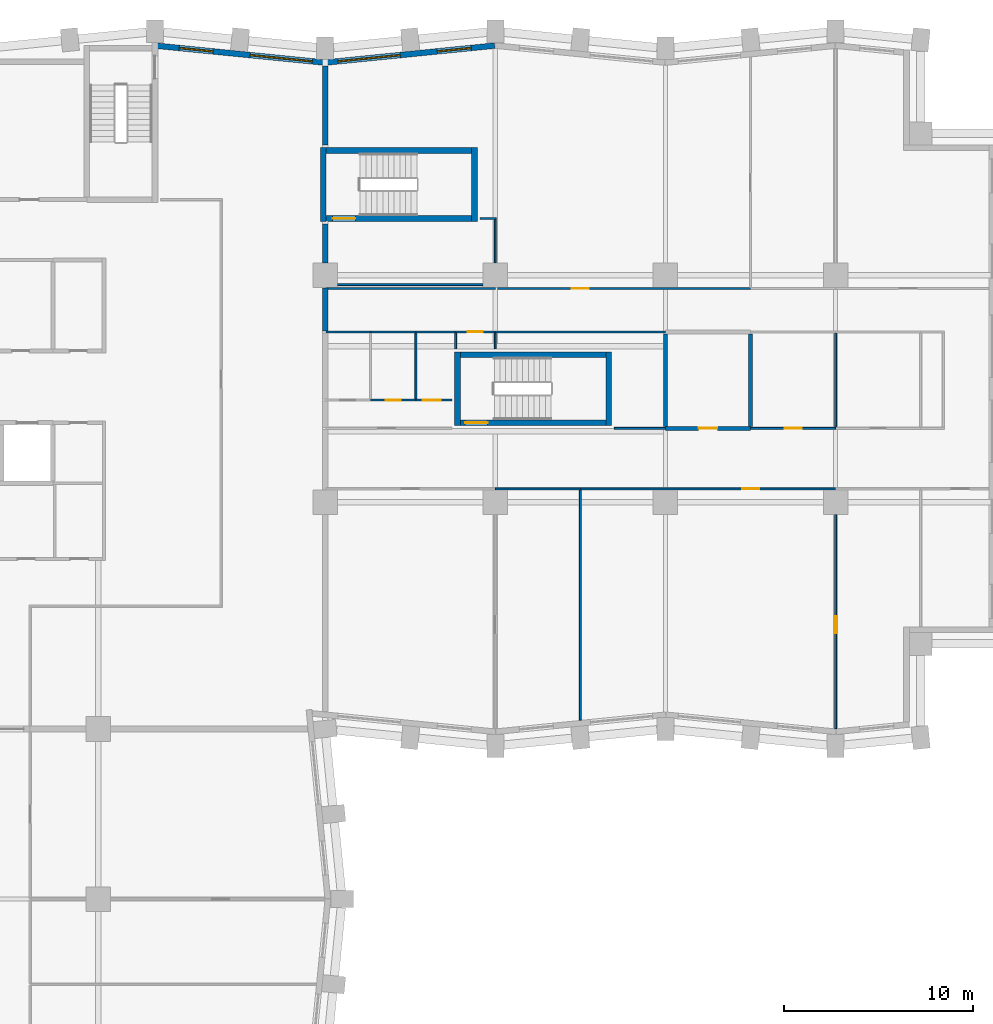
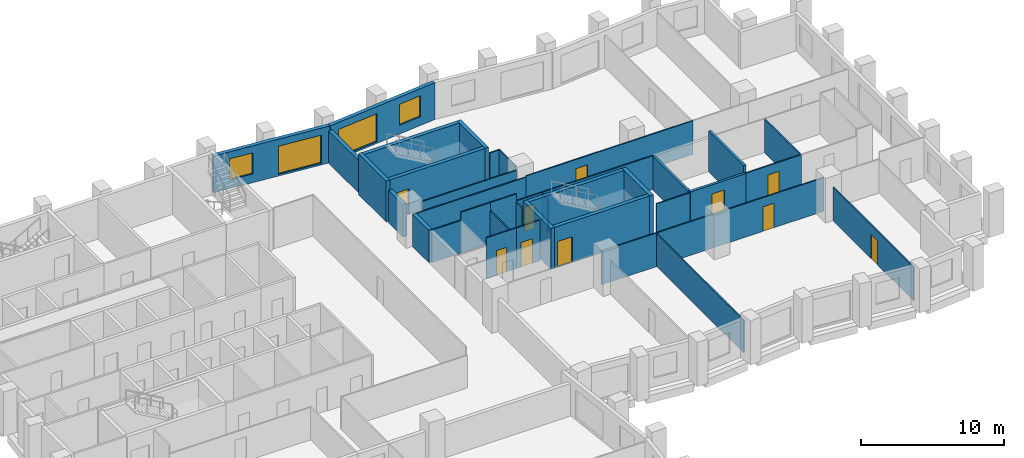
# One storey, part 7 of 11: 38 walls, 10 doors, 4 windows, 14 openings.
"""IFC4 building model written with IfcOpenShell, lengths in metres."""

from ifc_helpers import new_model, si_unit, direction, frame, frame_2d, origin, place, context, subcontext, project, spatial, rectangle, extrude, material, layer, layer_set, type_object, element, fill, save


model = new_model("IFC4")

# Units and contexts
model_context = context("Model", 3, precision=1e-05, world=origin(), true_north=direction((0.0, 1.0)))
body_context = subcontext(model_context, "Body", "Model", "MODEL_VIEW")
ifc_project = project(units=[si_unit("LENGTHUNIT", "METRE"), si_unit("AREAUNIT", "SQUARE_METRE"), si_unit("VOLUMEUNIT", "CUBIC_METRE"), si_unit("PLANEANGLEUNIT", "RADIAN"), si_unit("MASSUNIT", "GRAM", prefix="KILO")], contexts=[model_context])

# Site, building, storey
site_placement = place(None, origin())
site = spatial("IfcSite", under=ifc_project, at=site_placement, CompositionType="ELEMENT")
building_placement = place(site_placement, origin())
building = spatial("IfcBuilding", under=site, at=building_placement, Name="Brondeck Convention Tower", CompositionType="ELEMENT")
storey_placement = place(building_placement, frame((0.0, 0.0, 96.10009765625)))
storey = spatial("IfcBuildingStorey", under=building, at=storey_placement, Name="L22", CompositionType="ELEMENT", Elevation=96.10009765625)

# Walls
ifc_material_1 = material(Name="Concrete compartment wall C30/37", Category="concrete")
ifc_layer_1 = layer(ifc_material_1, 0.300048828125)
ifc_layer_set_1 = layer_set([ifc_layer_1], Name="Compartment wall 300")
wall_type_1 = type_object("IfcWallType", Name="Compartment wall 300", PredefinedType="PARTITIONING", material=ifc_layer_set_1)
wall_1_placement = place(storey_placement, frame((36.0, 48.050048828125, 0.0), z_axis=(0.0, 0.0, 1.0), x_axis=(0.0, 1.0, 0.0)))
element("IfcWall", 1, at=wall_1_placement, inside=storey, type_object=wall_type_1, Name="FLR-L22-W068", PredefinedType="PARTITIONING", context=body_context, shape_type="SweptSolid", body=[
    extrude(rectangle(XDim=2.280029296875, YDim=0.300048828125, at=frame_2d((1.14013671875, 0.0))), origin(), (0.0, 0.0, 1.0), 2.77978515625),
])
wall_2_placement = place(storey_placement, frame((36.0, 51.655029296875, 0.0), z_axis=(0.0, 0.0, 1.0), x_axis=(0.0, 1.0, 0.0)))
element("IfcWall", 2, at=wall_2_placement, inside=storey, type_object=wall_type_1, Name="FLR-L22-W074", PredefinedType="PARTITIONING", context=body_context, shape_type="SweptSolid", body=[
    extrude(rectangle(XDim=2.044921875, YDim=0.300048828125, at=frame_2d((1.0224609375, 0.0))), origin(), (0.0, 0.0, 1.0), 2.77978515625),
])
wall_3_placement = place(storey_placement, frame((36.0, 57.89990234375, 0.0), z_axis=(0.0, 0.0, 1.0), x_axis=(0.0, 1.0, 0.0)))
element("IfcWall", 3, at=wall_3_placement, inside=storey, type_object=wall_type_1, Name="FLR-L22-W079", PredefinedType="PARTITIONING", context=body_context, shape_type="SweptSolid", body=[
    extrude(rectangle(XDim=4.175537109375, YDim=0.300048828125, at=frame_2d((2.087890625, 0.0))), origin(), (0.0, 0.0, 1.0), 2.77978515625),
])

# Wall, openings, windows
ifc_material_2 = material(Name="Precast concrete C50/60 bronze finish", Category="concrete")
ifc_layer_2 = layer(ifc_material_2, 0.070068359375, Name="Bronze precast facing")
ifc_material_3 = material(Name="Mineral wool")
ifc_layer_3 = layer(ifc_material_3, 0.159912109375, Name="Insulation")
ifc_material_4 = material(Name="Concrete C35/45", Category="concrete")
ifc_layer_4 = layer(ifc_material_4, 0.070068359375, Name="Backing")
ifc_layer_set_2 = layer_set([ifc_layer_2, ifc_layer_3, ifc_layer_4], Name="External infill wall, precast concrete C50/60 bronze facing")
wall_type_2 = type_object("IfcWallType", Name="External infill wall, precast concrete C50/60 bronze facing", PredefinedType="SOLIDWALL", material=ifc_layer_set_2)
wall_4_placement = place(storey_placement, frame((35.985107421875, 62.244873046875, 0.0), z_axis=(0.0, 0.0, 1.0), x_axis=(0.995037993253, 0.099495688264, 0.0)))
wall_4 = element("IfcWall", 4, at=wall_4_placement, inside=storey, type_object=wall_type_2, Name="ENV-EW-L22-P0-A-N-09", PredefinedType="SOLIDWALL", context=body_context, shape_type="SweptSolid", body=[
    extrude(rectangle(XDim=9.030029296875, YDim=0.300048828125, at=frame_2d((4.51513671875, 0.0))), origin(), (0.0, 0.0, 1.0), 3.14990234375),
])
opening_1_placement = place(wall_4_placement, frame((0.701171875, 0.0, 0.14990234375)))
opening_1 = element("IfcOpeningElement", 5, at=opening_1_placement, cuts=wall_4, Name="Opening W9", PredefinedType="OPENING", context=body_context, shape_type="SweptSolid", body=[
    extrude(rectangle(XDim=3.300048828125, YDim=2.39990234375, at=frame_2d((1.64990234375, 1.199951171875))), frame((0.0, 0.159912109375, 0.0), z_axis=(0.0, -1.0, 0.0), x_axis=(1.0, 0.0, 0.0)), (0.0, 0.0, 1.0), 0.320068359375),
])
opening_2_placement = place(wall_4_placement, frame((5.9736328125, 0.0, 0.75)))
opening_2 = element("IfcOpeningElement", 6, at=opening_2_placement, cuts=wall_4, Name="Opening W10", PredefinedType="OPENING", context=body_context, shape_type="SweptSolid", body=[
    extrude(rectangle(XDim=1.800048828125, YDim=1.800048828125, at=frame_2d((0.89990234375, 0.89990234375))), frame((0.0, 0.159912109375, 0.0), z_axis=(0.0, -1.0, 0.0), x_axis=(1.0, 0.0, 0.0)), (0.0, 0.0, 1.0), 0.320068359375),
])
ifc_material_5 = material(Name="Bronze tinted double glazing", Category="glass")
window_type_1 = type_object("IfcWindowType", Name="Glazed flute window, bronze tinted", PartitioningType="SINGLE_PANEL", PredefinedType="WINDOW", material=ifc_material_5)
window_1_placement = place(opening_1_placement, origin())
window_1 = element("IfcWindow", 7, at=window_1_placement, inside=storey, type_object=window_type_1, Name="ENV-WN-L22-P0-A-N-08", OverallHeight=2.39990234375, OverallWidth=3.300048828125, PartitioningType="SINGLE_PANEL", PredefinedType="WINDOW", context=body_context, shape_type="SweptSolid", body=[
    extrude(rectangle(XDim=3.300048828125, YDim=2.39990234375, at=frame_2d((1.64990234375, 1.199951171875))), frame((0.0, 0.030029296875, 0.0), z_axis=(0.0, -1.0, 0.0), x_axis=(1.0, 0.0, 0.0)), (0.0, 0.0, 1.0), 0.06005859375),
])
fill(opening_1, window_1)
window_type_2 = type_object("IfcWindowType", Name="Punched window, bronze tinted", PartitioningType="SINGLE_PANEL", PredefinedType="WINDOW", material=ifc_material_5)
window_2_placement = place(opening_2_placement, origin())
window_2 = element("IfcWindow", 8, at=window_2_placement, inside=storey, type_object=window_type_2, Name="ENV-WN-L22-P0-A-N-09", OverallHeight=1.800048828125, OverallWidth=1.800048828125, PartitioningType="SINGLE_PANEL", PredefinedType="WINDOW", context=body_context, shape_type="SweptSolid", body=[
    extrude(rectangle(XDim=1.800048828125, YDim=1.800048828125, at=frame_2d((0.89990234375, 0.89990234375))), frame((0.0, 0.030029296875, 0.0), z_axis=(0.0, -1.0, 0.0), x_axis=(1.0, 0.0, 0.0)), (0.0, 0.0, 1.0), 0.06005859375),
])
fill(opening_2, window_2)

wall_5_placement = place(storey_placement, frame((27.07470703125, 63.138916015625, 0.0), z_axis=(0.0, 0.0, 1.0), x_axis=(0.995036108601, -0.099514534519, 0.0)))
wall_5 = element("IfcWall", 9, at=wall_5_placement, inside=storey, type_object=wall_type_2, Name="ENV-EW-L22-P0-A-N-07", PredefinedType="SOLIDWALL", context=body_context, shape_type="SweptSolid", body=[
    extrude(rectangle(XDim=8.93994140625, YDim=0.300048828125, at=frame_2d((4.469970703125, 0.0))), origin(), (0.0, 0.0, 1.0), 3.14990234375),
])
opening_3_placement = place(wall_5_placement, frame((1.211181640625, 0.0, 0.75)))
opening_3 = element("IfcOpeningElement", 10, at=opening_3_placement, cuts=wall_5, Name="Opening W10", PredefinedType="OPENING", context=body_context, shape_type="SweptSolid", body=[
    extrude(rectangle(XDim=1.800048828125, YDim=1.800048828125, at=frame_2d((0.89990234375, 0.89990234375))), frame((0.0, 0.159912109375, 0.0), z_axis=(0.0, -1.0, 0.0), x_axis=(1.0, 0.0, 0.0)), (0.0, 0.0, 1.0), 0.320068359375),
])
opening_4_placement = place(wall_5_placement, frame((4.983642578125, 0.0, 0.14990234375)))
opening_4 = element("IfcOpeningElement", 11, at=opening_4_placement, cuts=wall_5, Name="Opening W9", PredefinedType="OPENING", context=body_context, shape_type="SweptSolid", body=[
    extrude(rectangle(XDim=3.300048828125, YDim=2.39990234375, at=frame_2d((1.64990234375, 1.199951171875))), frame((0.0, 0.159912109375, 0.0), z_axis=(0.0, -1.0, 0.0), x_axis=(1.0, 0.0, 0.0)), (0.0, 0.0, 1.0), 0.320068359375),
])
window_3_placement = place(opening_4_placement, origin())
window_3 = element("IfcWindow", 12, at=window_3_placement, inside=storey, type_object=window_type_1, Name="ENV-WN-L22-P0-A-N-07", OverallHeight=2.39990234375, OverallWidth=3.300048828125, PartitioningType="SINGLE_PANEL", PredefinedType="WINDOW", context=body_context, shape_type="SweptSolid", body=[
    extrude(rectangle(XDim=3.300048828125, YDim=2.39990234375, at=frame_2d((1.64990234375, 1.199951171875))), frame((0.0, 0.030029296875, 0.0), z_axis=(0.0, -1.0, 0.0), x_axis=(1.0, 0.0, 0.0)), (0.0, 0.0, 1.0), 0.06005859375),
])
fill(opening_4, window_3)
window_4_placement = place(opening_3_placement, origin())
window_4 = element("IfcWindow", 13, at=window_4_placement, inside=storey, type_object=window_type_2, Name="ENV-WN-L22-P0-A-N-06", OverallHeight=1.800048828125, OverallWidth=1.800048828125, PartitioningType="SINGLE_PANEL", PredefinedType="WINDOW", context=body_context, shape_type="SweptSolid", body=[
    extrude(rectangle(XDim=1.800048828125, YDim=1.800048828125, at=frame_2d((0.89990234375, 0.89990234375))), frame((0.0, 0.030029296875, 0.0), z_axis=(0.0, -1.0, 0.0), x_axis=(1.0, 0.0, 0.0)), (0.0, 0.0, 1.0), 0.06005859375),
])
fill(opening_3, window_4)

# Wall, opening, door
ifc_material_6 = material(Name="Concrete block wall C16/20", Category="concrete")
ifc_layer_5 = layer(ifc_material_6, 0.199951171875)
ifc_layer_set_3 = layer_set([ifc_layer_5], Name="Plant room wall 200")
wall_type_3 = type_object("IfcWallType", Name="Plant room wall 200", PredefinedType="PARTITIONING", material=ifc_layer_set_3)
wall_6_placement = place(storey_placement, frame((54.0, 42.89990234375, 0.0), z_axis=(0.0, 0.0, 1.0), x_axis=(1.0, 0.0, 0.0)))
wall_6 = element("IfcWall", 14, at=wall_6_placement, inside=storey, type_object=wall_type_3, Name="FLR-L22-W041", PredefinedType="PARTITIONING", context=body_context, shape_type="SweptSolid", body=[
    extrude(rectangle(XDim=4.5, YDim=0.199951171875, at=frame_2d((2.25, 0.0))), origin(), (0.0, 0.0, 1.0), 2.8798828125),
])
opening_5_placement = place(wall_6_placement, frame((1.75, 0.0, 0.0)))
opening_5 = element("IfcOpeningElement", 15, at=opening_5_placement, cuts=wall_6, Name="Opening OF-A-007", PredefinedType="OPENING", context=body_context, shape_type="SweptSolid", body=[
    extrude(rectangle(XDim=1.0, YDim=2.10009765625, at=frame_2d((0.5, 1.050048828125))), frame((0.0, 0.10986328125, 0.0), z_axis=(0.0, -1.0, 0.0), x_axis=(1.0, 0.0, 0.0)), (0.0, 0.0, 1.0), 0.219970703125),
])
ifc_material_7 = material(Name="Steel fire door leaf", Category="steel")
door_type_1 = type_object("IfcDoorType", Name="Plant room door 1000", OperationType="NOTDEFINED", PredefinedType="DOOR", material=ifc_material_7)
door_1_placement = place(opening_5_placement, origin())
door_1 = element("IfcDoor", 16, at=door_1_placement, inside=storey, type_object=door_type_1, Name="Door OF-A-007", OperationType="SINGLE_SWING_RIGHT", OverallHeight=2.10009765625, OverallWidth=1.0, PredefinedType="DOOR", context=body_context, shape_type="SweptSolid", body=[
    extrude(rectangle(XDim=1.0, YDim=2.10009765625, at=frame_2d((0.5, 1.050048828125))), frame((0.0, 0.02490234375, 0.0), z_axis=(0.0, -1.0, 0.0), x_axis=(1.0, 0.0, 0.0)), (0.0, 0.0, 1.0), 0.050048828125),
])
fill(opening_5, door_1)

# Walls
wall_7_placement = place(storey_placement, frame((54.0, 43.0, 0.0), z_axis=(0.0, 0.0, 1.0), x_axis=(0.0, 1.0, 0.0)))
element("IfcWall", 17, at=wall_7_placement, inside=storey, type_object=wall_type_3, Name="FLR-L22-W047", PredefinedType="PARTITIONING", context=body_context, shape_type="SweptSolid", body=[
    extrude(rectangle(XDim=4.89990234375, YDim=0.199951171875, at=frame_2d((2.449951171875, 0.0))), origin(), (0.0, 0.0, 1.0), 2.8798828125),
])
wall_8_placement = place(storey_placement, frame((58.5, 47.89990234375, 0.0), z_axis=(0.0, 0.0, 1.0), x_axis=(0.0, -1.0, 0.0)))
element("IfcWall", 18, at=wall_8_placement, inside=storey, type_object=wall_type_3, Name="FLR-L22-W052", PredefinedType="PARTITIONING", context=body_context, shape_type="SweptSolid", body=[
    extrude(rectangle(XDim=4.89990234375, YDim=0.199951171875, at=frame_2d((2.449951171875, 0.0))), origin(), (0.0, 0.0, 1.0), 3.47998046875),
])

# Wall, opening, door
ifc_material_8 = material(Name="Gypsum board partition on steel studs", Category="steel")
ifc_layer_6 = layer(ifc_material_8, 0.10009765625)
ifc_layer_set_4 = layer_set([ifc_layer_6], Name="Room partition 100")
wall_type_4 = type_object("IfcWallType", Name="Room partition 100", PredefinedType="PARTITIONING", material=ifc_layer_set_4)
wall_9_placement = place(storey_placement, frame((63.0, 38.344970703125, 0.0), z_axis=(0.0, 0.0, 1.0), x_axis=(0.0, -1.0, 0.0)))
wall_9 = element("IfcWall", 19, at=wall_9_placement, inside=storey, type_object=wall_type_4, Name="FLR-L22-W030", PredefinedType="PARTITIONING", context=body_context, shape_type="SweptSolid", body=[
    extrude(rectangle(XDim=11.320556640625, YDim=0.10009765625, at=frame_2d((5.66015625, 0.0))), origin(), (0.0, 0.0, 1.0), 2.8798828125),
])
opening_6_placement = place(wall_9_placement, frame((5.3701171875, 0.0, 0.0)))
opening_6 = element("IfcOpeningElement", 20, at=opening_6_placement, cuts=wall_9, Name="Opening OF-A-013", PredefinedType="OPENING", context=body_context, shape_type="SweptSolid", body=[
    extrude(rectangle(XDim=0.89990234375, YDim=2.10009765625, at=frame_2d((0.449951171875, 1.050048828125))), frame((0.0, 0.06005859375, 0.0), z_axis=(0.0, -1.0, 0.0), x_axis=(1.0, 0.0, 0.0)), (0.0, 0.0, 1.0), 0.1201171875),
])
ifc_material_9 = material(Name="Solid timber door leaf", Category="wood")
door_type_2 = type_object("IfcDoorType", Name="Single door 900", OperationType="NOTDEFINED", PredefinedType="DOOR", material=ifc_material_9)
door_2_placement = place(opening_6_placement, origin())
door_2 = element("IfcDoor", 21, at=door_2_placement, inside=storey, type_object=door_type_2, Name="Door OF-A-013", OperationType="SINGLE_SWING_LEFT", OverallHeight=2.10009765625, OverallWidth=0.89990234375, PredefinedType="DOOR", context=body_context, shape_type="SweptSolid", body=[
    extrude(rectangle(XDim=0.89990234375, YDim=2.10009765625, at=frame_2d((0.449951171875, 1.050048828125))), frame((0.0, 0.02490234375, 0.0), z_axis=(0.0, -1.0, 0.0), x_axis=(1.0, 0.0, 0.0)), (0.0, 0.0, 1.0), 0.050048828125),
])
fill(opening_6, door_2)

# Walls
wall_10_placement = place(storey_placement, frame((49.5, 39.64990234375, 0.0), z_axis=(0.0, 0.0, 1.0), x_axis=(0.0, -1.0, 0.0)))
element("IfcWall", 22, at=wall_10_placement, inside=storey, type_object=wall_type_4, Name="FLR-L22-W031", PredefinedType="PARTITIONING", context=body_context, shape_type="SweptSolid", body=[
    extrude(rectangle(XDim=12.17529296875, YDim=0.10009765625, at=frame_2d((6.087646484375, 0.0))), origin(), (0.0, 0.0, 1.0), 2.77978515625),
])
wall_11_placement = place(storey_placement, frame((49.5, 39.699951171875, 0.0), z_axis=(0.0, 0.0, 1.0), x_axis=(-1.0, 0.0, 0.0)))
element("IfcWall", 23, at=wall_11_placement, inside=storey, type_object=wall_type_4, Name="FLR-L22-W034", PredefinedType="PARTITIONING", context=body_context, shape_type="SweptSolid", body=[
    extrude(rectangle(XDim=4.5, YDim=0.10009765625, at=frame_2d((2.25, 0.0))), origin(), (0.0, 0.0, 1.0), 2.8798828125),
])

# Wall, opening, door
wall_12_placement = place(storey_placement, frame((63.0, 39.699951171875, 0.0), z_axis=(0.0, 0.0, 1.0), x_axis=(-1.0, 0.0, 0.0)))
wall_12 = element("IfcWall", 24, at=wall_12_placement, inside=storey, type_object=wall_type_4, Name="FLR-L22-W035", PredefinedType="PARTITIONING", context=body_context, shape_type="SweptSolid", body=[
    extrude(rectangle(XDim=13.5, YDim=0.10009765625, at=frame_2d((6.75, 0.0))), origin(), (0.0, 0.0, 1.0), 2.8798828125),
])
opening_7_placement = place(wall_12_placement, frame((4.050048828125, 0.0, 0.0)))
opening_7 = element("IfcOpeningElement", 25, at=opening_7_placement, cuts=wall_12, Name="Opening OF-A-012", PredefinedType="OPENING", context=body_context, shape_type="SweptSolid", body=[
    extrude(rectangle(XDim=0.89990234375, YDim=2.10009765625, at=frame_2d((0.449951171875, 1.050048828125))), frame((0.0, 0.06005859375, 0.0), z_axis=(0.0, -1.0, 0.0), x_axis=(1.0, 0.0, 0.0)), (0.0, 0.0, 1.0), 0.1201171875),
])
door_3_placement = place(opening_7_placement, origin())
door_3 = element("IfcDoor", 26, at=door_3_placement, inside=storey, type_object=door_type_2, Name="Door OF-A-012", OperationType="SINGLE_SWING_LEFT", OverallHeight=2.10009765625, OverallWidth=0.89990234375, PredefinedType="DOOR", context=body_context, shape_type="SweptSolid", body=[
    extrude(rectangle(XDim=0.89990234375, YDim=2.10009765625, at=frame_2d((0.449951171875, 1.050048828125))), frame((0.0, 0.02490234375, 0.0), z_axis=(0.0, -1.0, 0.0), x_axis=(1.0, 0.0, 0.0)), (0.0, 0.0, 1.0), 0.050048828125),
])
fill(opening_7, door_3)

# Wall
wall_13_placement = place(storey_placement, frame((51.300048828125, 42.89990234375, 0.0), z_axis=(0.0, 0.0, 1.0), x_axis=(1.0, 0.0, 0.0)))
element("IfcWall", 27, at=wall_13_placement, inside=storey, type_object=wall_type_4, Name="FLR-L22-W040", PredefinedType="PARTITIONING", context=body_context, shape_type="SweptSolid", body=[
    extrude(rectangle(XDim=2.699951171875, YDim=0.10009765625, at=frame_2d((1.35009765625, 0.0))), origin(), (0.0, 0.0, 1.0), 2.77978515625),
])

# Wall, opening, door
wall_14_placement = place(storey_placement, frame((58.5, 42.89990234375, 0.0), z_axis=(0.0, 0.0, 1.0), x_axis=(1.0, 0.0, 0.0)))
wall_14 = element("IfcWall", 28, at=wall_14_placement, inside=storey, type_object=wall_type_4, Name="FLR-L22-W042", PredefinedType="PARTITIONING", context=body_context, shape_type="SweptSolid", body=[
    extrude(rectangle(XDim=4.5, YDim=0.10009765625, at=frame_2d((2.25, 0.0))), origin(), (0.0, 0.0, 1.0), 2.8798828125),
])
opening_8_placement = place(wall_14_placement, frame((1.800048828125, 0.0, 0.0)))
opening_8 = element("IfcOpeningElement", 29, at=opening_8_placement, cuts=wall_14, Name="Opening OF-A-008", PredefinedType="OPENING", context=body_context, shape_type="SweptSolid", body=[
    extrude(rectangle(XDim=0.89990234375, YDim=2.10009765625, at=frame_2d((0.449951171875, 1.050048828125))), frame((0.0, 0.06005859375, 0.0), z_axis=(0.0, -1.0, 0.0), x_axis=(1.0, 0.0, 0.0)), (0.0, 0.0, 1.0), 0.1201171875),
])
door_4_placement = place(opening_8_placement, origin())
door_4 = element("IfcDoor", 30, at=door_4_placement, inside=storey, type_object=door_type_2, Name="Door OF-A-008", OperationType="SINGLE_SWING_LEFT", OverallHeight=2.10009765625, OverallWidth=0.89990234375, PredefinedType="DOOR", context=body_context, shape_type="SweptSolid", body=[
    extrude(rectangle(XDim=0.89990234375, YDim=2.10009765625, at=frame_2d((0.449951171875, 1.050048828125))), frame((0.0, 0.02490234375, 0.0), z_axis=(0.0, -1.0, 0.0), x_axis=(1.0, 0.0, 0.0)), (0.0, 0.0, 1.0), 0.050048828125),
])
fill(opening_8, door_4)

wall_15_placement = place(storey_placement, frame((38.39990234375, 44.39990234375, 0.0), z_axis=(0.0, 0.0, 1.0), x_axis=(1.0, 0.0, 0.0)))
wall_15 = element("IfcWall", 31, at=wall_15_placement, inside=storey, type_object=wall_type_4, Name="FLR-L22-W049", PredefinedType="PARTITIONING", context=body_context, shape_type="SweptSolid", body=[
    extrude(rectangle(XDim=2.400146484375, YDim=0.10009765625, at=frame_2d((1.2001953125, 0.0))), origin(), (0.0, 0.0, 1.0), 3.47998046875),
])
opening_9_placement = place(wall_15_placement, frame((0.800048828125, 0.0, 0.0)))
opening_9 = element("IfcOpeningElement", 32, at=opening_9_placement, cuts=wall_15, Name="Opening OF-A-004", PredefinedType="OPENING", context=body_context, shape_type="SweptSolid", body=[
    extrude(rectangle(XDim=0.800048828125, YDim=2.10009765625, at=frame_2d((0.39990234375, 1.050048828125))), frame((0.0, 0.06005859375, 0.0), z_axis=(0.0, -1.0, 0.0), x_axis=(1.0, 0.0, 0.0)), (0.0, 0.0, 1.0), 0.1201171875),
])
door_type_3 = type_object("IfcDoorType", Name="En-suite door 800", OperationType="NOTDEFINED", PredefinedType="DOOR", material=ifc_material_9)
door_5_placement = place(opening_9_placement, origin())
door_5 = element("IfcDoor", 33, at=door_5_placement, inside=storey, type_object=door_type_3, Name="Door OF-A-004", OperationType="SINGLE_SWING_RIGHT", OverallHeight=2.10009765625, OverallWidth=0.800048828125, PredefinedType="DOOR", context=body_context, shape_type="SweptSolid", body=[
    extrude(rectangle(XDim=0.800048828125, YDim=2.10009765625, at=frame_2d((0.39990234375, 1.050048828125))), frame((0.0, 0.02490234375, 0.0), z_axis=(0.0, -1.0, 0.0), x_axis=(1.0, 0.0, 0.0)), (0.0, 0.0, 1.0), 0.050048828125),
])
fill(opening_9, door_5)

wall_16_placement = place(storey_placement, frame((40.800048828125, 44.39990234375, 0.0), z_axis=(0.0, 0.0, 1.0), x_axis=(1.0, 0.0, 0.0)))
wall_16 = element("IfcWall", 34, at=wall_16_placement, inside=storey, type_object=wall_type_4, Name="FLR-L22-W050", PredefinedType="PARTITIONING", context=body_context, shape_type="SweptSolid", body=[
    extrude(rectangle(XDim=1.89990234375, YDim=0.10009765625, at=frame_2d((0.949951171875, 0.0))), origin(), (0.0, 0.0, 1.0), 3.47998046875),
])
opening_10_placement = place(wall_16_placement, frame((0.375, 0.0, 0.0)))
opening_10 = element("IfcOpeningElement", 35, at=opening_10_placement, cuts=wall_16, Name="Opening OF-A-005", PredefinedType="OPENING", context=body_context, shape_type="SweptSolid", body=[
    extrude(rectangle(XDim=0.949951171875, YDim=2.10009765625, at=frame_2d((0.47509765625, 1.050048828125))), frame((0.0, 0.06005859375, 0.0), z_axis=(0.0, -1.0, 0.0), x_axis=(1.0, 0.0, 0.0)), (0.0, 0.0, 1.0), 0.1201171875),
])
door_type_4 = type_object("IfcDoorType", Name="Accessible door 950", OperationType="NOTDEFINED", PredefinedType="DOOR", material=ifc_material_9)
door_6_placement = place(opening_10_placement, origin())
door_6 = element("IfcDoor", 36, at=door_6_placement, inside=storey, type_object=door_type_4, Name="Door OF-A-005", OperationType="SINGLE_SWING_LEFT", OverallHeight=2.10009765625, OverallWidth=0.949951171875, PredefinedType="DOOR", context=body_context, shape_type="SweptSolid", body=[
    extrude(rectangle(XDim=0.949951171875, YDim=2.10009765625, at=frame_2d((0.47509765625, 1.050048828125))), frame((0.0, 0.02490234375, 0.0), z_axis=(0.0, -1.0, 0.0), x_axis=(1.0, 0.0, 0.0)), (0.0, 0.0, 1.0), 0.050048828125),
])
fill(opening_10, door_6)

# Walls
wall_17_placement = place(storey_placement, frame((40.800048828125, 47.949951171875, 0.0), z_axis=(0.0, 0.0, 1.0), x_axis=(0.0, -1.0, 0.0)))
element("IfcWall", 37, at=wall_17_placement, inside=storey, type_object=wall_type_4, Name="FLR-L22-W054", PredefinedType="PARTITIONING", context=body_context, shape_type="SweptSolid", body=[
    extrude(rectangle(XDim=3.5, YDim=0.10009765625, at=frame_2d((1.75, 0.0))), origin(), (0.0, 0.0, 1.0), 2.77978515625),
])
for number, where, z_axis, x_axis, name in (
    (38, (42.89990234375, 47.949951171875, 0.0), (0.0, 0.0, 1.0), (0.0, -1.0, 0.0), "FLR-L22-W055"),
    (39, (45.0, 47.949951171875, 0.0), (0.0, 0.0, 1.0), (0.0, -1.0, 0.0), "FLR-L22-W056"),
):
    element("IfcWall", number, at=place(storey_placement, frame(where, z_axis=z_axis, x_axis=x_axis)), inside=storey, type_object=wall_type_4, Name=name, PredefinedType="PARTITIONING", context=body_context, shape_type="SweptSolid", body=[
        extrude(rectangle(XDim=0.849853515625, YDim=0.10009765625, at=frame_2d((0.4248046875, 0.0))), origin(), (0.0, 0.0, 1.0), 2.77978515625),
    ])
wall_18_placement = place(storey_placement, frame((63.0, 47.949951171875, 0.0), z_axis=(0.0, 0.0, 1.0), x_axis=(0.0, -1.0, 0.0)))
element("IfcWall", 40, at=wall_18_placement, inside=storey, type_object=wall_type_4, Name="FLR-L22-W057", PredefinedType="PARTITIONING", context=body_context, shape_type="SweptSolid", body=[
    extrude(rectangle(XDim=5.0, YDim=0.10009765625, at=frame_2d((2.5, 0.0))), origin(), (0.0, 0.0, 1.0), 2.8798828125),
])
wall_19_placement = place(storey_placement, frame((38.39990234375, 48.0, 0.0), z_axis=(0.0, 0.0, 1.0), x_axis=(-1.0, 0.0, 0.0)))
element("IfcWall", 41, at=wall_19_placement, inside=storey, type_object=wall_type_4, Name="FLR-L22-W059", PredefinedType="PARTITIONING", context=body_context, shape_type="SweptSolid", body=[
    extrude(rectangle(XDim=2.349853515625, YDim=0.10009765625, at=frame_2d((1.1748046875, 0.0))), origin(), (0.0, 0.0, 1.0), 2.77978515625),
])
wall_20_placement = place(storey_placement, frame((40.800048828125, 48.0, 0.0), z_axis=(0.0, 0.0, 1.0), x_axis=(-1.0, 0.0, 0.0)))
element("IfcWall", 42, at=wall_20_placement, inside=storey, type_object=wall_type_4, Name="FLR-L22-W060", PredefinedType="PARTITIONING", context=body_context, shape_type="SweptSolid", body=[
    extrude(rectangle(XDim=2.400146484375, YDim=0.10009765625, at=frame_2d((1.2001953125, 0.0))), origin(), (0.0, 0.0, 1.0), 3.47998046875),
])
wall_21_placement = place(storey_placement, frame((42.89990234375, 48.0, 0.0), z_axis=(0.0, 0.0, 1.0), x_axis=(-1.0, 0.0, 0.0)))
element("IfcWall", 43, at=wall_21_placement, inside=storey, type_object=wall_type_4, Name="FLR-L22-W061", PredefinedType="PARTITIONING", context=body_context, shape_type="SweptSolid", body=[
    extrude(rectangle(XDim=2.099853515625, YDim=0.10009765625, at=frame_2d((1.0498046875, 0.0))), origin(), (0.0, 0.0, 1.0), 3.47998046875),
])

# Wall, opening, door
wall_22_placement = place(storey_placement, frame((45.0, 48.0, 0.0), z_axis=(0.0, 0.0, 1.0), x_axis=(-1.0, 0.0, 0.0)))
wall_22 = element("IfcWall", 44, at=wall_22_placement, inside=storey, type_object=wall_type_4, Name="FLR-L22-W062", PredefinedType="PARTITIONING", context=body_context, shape_type="SweptSolid", body=[
    extrude(rectangle(XDim=2.10009765625, YDim=0.10009765625, at=frame_2d((1.050048828125, 0.0))), origin(), (0.0, 0.0, 1.0), 2.8798828125),
])
opening_11_placement = place(wall_22_placement, frame((0.64990234375, 0.0, 0.0)))
opening_11 = element("IfcOpeningElement", 45, at=opening_11_placement, cuts=wall_22, Name="Opening OF-A-006", PredefinedType="OPENING", context=body_context, shape_type="SweptSolid", body=[
    extrude(rectangle(XDim=0.800048828125, YDim=2.10009765625, at=frame_2d((0.39990234375, 1.050048828125))), frame((0.0, 0.06005859375, 0.0), z_axis=(0.0, -1.0, 0.0), x_axis=(1.0, 0.0, 0.0)), (0.0, 0.0, 1.0), 0.1201171875),
])
ifc_material_10 = material(Name="Steel service door leaf", Category="steel")
door_type_5 = type_object("IfcDoorType", Name="Service door 800", OperationType="NOTDEFINED", PredefinedType="DOOR", material=ifc_material_10)
door_7_placement = place(opening_11_placement, origin())
door_7 = element("IfcDoor", 46, at=door_7_placement, inside=storey, type_object=door_type_5, Name="Door OF-A-006", OperationType="SINGLE_SWING_LEFT", OverallHeight=2.10009765625, OverallWidth=0.800048828125, PredefinedType="DOOR", context=body_context, shape_type="SweptSolid", body=[
    extrude(rectangle(XDim=0.800048828125, YDim=2.10009765625, at=frame_2d((0.39990234375, 1.050048828125))), frame((0.0, 0.02490234375, 0.0), z_axis=(0.0, -1.0, 0.0), x_axis=(1.0, 0.0, 0.0)), (0.0, 0.0, 1.0), 0.050048828125),
])
fill(opening_11, door_7)

# Walls
wall_23_placement = place(storey_placement, frame((54.0, 48.0, 0.0), z_axis=(0.0, 0.0, 1.0), x_axis=(-1.0, 0.0, 0.0)))
element("IfcWall", 47, at=wall_23_placement, inside=storey, type_object=wall_type_4, Name="FLR-L22-W063", PredefinedType="PARTITIONING", context=body_context, shape_type="SweptSolid", body=[
    extrude(rectangle(XDim=9.0, YDim=0.10009765625, at=frame_2d((4.5, 0.0))), origin(), (0.0, 0.0, 1.0), 2.8798828125),
])
wall_24_placement = place(storey_placement, frame((36.050048828125, 50.300048828125, 0.0), z_axis=(0.0, 0.0, 1.0), x_axis=(1.0, 0.0, 0.0)))
element("IfcWall", 48, at=wall_24_placement, inside=storey, type_object=wall_type_4, Name="FLR-L22-W069", PredefinedType="PARTITIONING", context=body_context, shape_type="SweptSolid", body=[
    extrude(rectangle(XDim=8.949951171875, YDim=0.10009765625, at=frame_2d((4.47509765625, 0.0))), origin(), (0.0, 0.0, 1.0), 2.77978515625),
])

# Wall, opening, door
wall_25_placement = place(storey_placement, frame((45.0, 50.300048828125, 0.0), z_axis=(0.0, 0.0, 1.0), x_axis=(1.0, 0.0, 0.0)))
wall_25 = element("IfcWall", 49, at=wall_25_placement, inside=storey, type_object=wall_type_4, Name="FLR-L22-W070", PredefinedType="PARTITIONING", context=body_context, shape_type="SweptSolid", body=[
    extrude(rectangle(XDim=13.5, YDim=0.10009765625, at=frame_2d((6.75, 0.0))), origin(), (0.0, 0.0, 1.0), 2.8798828125),
])
opening_12_placement = place(wall_25_placement, frame((4.050048828125, 0.0, 0.0)))
opening_12 = element("IfcOpeningElement", 50, at=opening_12_placement, cuts=wall_25, Name="Opening OF-A-015", PredefinedType="OPENING", context=body_context, shape_type="SweptSolid", body=[
    extrude(rectangle(XDim=0.89990234375, YDim=2.10009765625, at=frame_2d((0.449951171875, 1.050048828125))), frame((0.0, 0.06005859375, 0.0), z_axis=(0.0, -1.0, 0.0), x_axis=(1.0, 0.0, 0.0)), (0.0, 0.0, 1.0), 0.1201171875),
])
door_8_placement = place(opening_12_placement, origin())
door_8 = element("IfcDoor", 51, at=door_8_placement, inside=storey, type_object=door_type_2, Name="Door OF-A-015", OperationType="SINGLE_SWING_LEFT", OverallHeight=2.10009765625, OverallWidth=0.89990234375, PredefinedType="DOOR", context=body_context, shape_type="SweptSolid", body=[
    extrude(rectangle(XDim=0.89990234375, YDim=2.10009765625, at=frame_2d((0.449951171875, 1.050048828125))), frame((0.0, 0.02490234375, 0.0), z_axis=(0.0, -1.0, 0.0), x_axis=(1.0, 0.0, 0.0)), (0.0, 0.0, 1.0), 0.050048828125),
])
fill(opening_12, door_8)

# Walls
wall_26_placement = place(storey_placement, frame((44.344970703125, 50.5, 0.0), z_axis=(0.0, 0.0, 1.0), x_axis=(-1.0, 0.0, 0.0)))
element("IfcWall", 52, at=wall_26_placement, inside=storey, type_object=wall_type_4, Name="FLR-L22-W073", PredefinedType="PARTITIONING", context=body_context, shape_type="SweptSolid", body=[
    extrude(rectangle(XDim=7.68994140625, YDim=0.10009765625, at=frame_2d((3.844970703125, 0.0))), origin(), (0.0, 0.0, 1.0), 3.47998046875),
])
wall_27_placement = place(storey_placement, frame((45.0, 53.949951171875, 0.0), z_axis=(0.0, 0.0, 1.0), x_axis=(0.0, -1.0, 0.0)))
element("IfcWall", 53, at=wall_27_placement, inside=storey, type_object=wall_type_4, Name="FLR-L22-W075", PredefinedType="PARTITIONING", context=body_context, shape_type="SweptSolid", body=[
    extrude(rectangle(XDim=2.294921875, YDim=0.10009765625, at=frame_2d((1.1474609375, 0.0))), origin(), (0.0, 0.0, 1.0), 2.8798828125),
])
wall_28_placement = place(storey_placement, frame((44.199951171875, 54.0, 0.0), z_axis=(0.0, 0.0, 1.0), x_axis=(1.0, 0.0, 0.0)))
element("IfcWall", 54, at=wall_28_placement, inside=storey, type_object=wall_type_4, Name="FLR-L22-W076", PredefinedType="PARTITIONING", context=body_context, shape_type="SweptSolid", body=[
    extrude(rectangle(XDim=0.85009765625, YDim=0.10009765625, at=frame_2d((0.425048828125, 0.0))), origin(), (0.0, 0.0, 1.0), 2.8798828125),
])

# Wall, opening, door
ifc_material_11 = material(Name="Concrete C70/85", Category="concrete")
ifc_layer_7 = layer(ifc_material_11, 0.300048828125)
ifc_layer_set_5 = layer_set([ifc_layer_7], Name="Stair enclosure wall 300 Concrete C70/85")
wall_type_5 = type_object("IfcWallType", Name="Stair enclosure wall 300 Concrete C70/85", PredefinedType="SHEAR", material=ifc_layer_set_5)
wall_29_placement = place(storey_placement, frame((43.14990234375, 43.199951171875, 0.0), z_axis=(0.0, 0.0, 1.0), x_axis=(1.0, 0.0, 0.0)))
wall_29 = element("IfcWall", 55, at=wall_29_placement, inside=storey, type_object=wall_type_5, Name="L22 core wall", PredefinedType="SHEAR", context=body_context, shape_type="SweptSolid", body=[
    extrude(rectangle(XDim=7.7001953125, YDim=0.300048828125, at=frame_2d((3.85009765625, 0.0))), origin(), (0.0, 0.0, 1.0), 3.5),
])
opening_13_placement = place(wall_29_placement, frame((0.25, 0.0, 0.0)))
opening_13 = element("IfcOpeningElement", 56, at=opening_13_placement, cuts=wall_29, Name="Opening C14-21", PredefinedType="OPENING", context=body_context, shape_type="SweptSolid", body=[
    extrude(rectangle(XDim=1.199951171875, YDim=2.199951171875, at=frame_2d((0.60009765625, 1.10009765625))), frame((0.0, 0.159912109375, 0.0), z_axis=(0.0, -1.0, 0.0), x_axis=(1.0, 0.0, 0.0)), (0.0, 0.0, 1.0), 0.320068359375),
])
ifc_material_12 = material(Name="Steel fire door", Category="steel")
door_type_6 = type_object("IfcDoorType", Name="Stair door 1200x2200 EI 90", OperationType="NOTDEFINED", PredefinedType="DOOR", material=ifc_material_12)
door_9_placement = place(opening_13_placement, origin())
door_9 = element("IfcDoor", 57, at=door_9_placement, inside=storey, type_object=door_type_6, Name="L22 Stair door ST-AF", OperationType="SINGLE_SWING_RIGHT", OverallHeight=2.199951171875, OverallWidth=1.199951171875, PredefinedType="DOOR", context=body_context, shape_type="SweptSolid", body=[
    extrude(rectangle(XDim=1.199951171875, YDim=2.199951171875, at=frame_2d((0.60009765625, 1.10009765625))), frame((0.0, 0.02490234375, 0.0), z_axis=(0.0, -1.0, 0.0), x_axis=(1.0, 0.0, 0.0)), (0.0, 0.0, 1.0), 0.050048828125),
])
fill(opening_13, door_9)

# Wall
wall_30_placement = place(storey_placement, frame((43.14990234375, 46.800048828125, 0.0), z_axis=(0.0, 0.0, 1.0), x_axis=(1.0, 0.0, 0.0)))
element("IfcWall", 58, at=wall_30_placement, inside=storey, type_object=wall_type_5, Name="L22 core wall", PredefinedType="SHEAR", context=body_context, shape_type="SweptSolid", body=[
    extrude(rectangle(XDim=7.7001953125, YDim=0.300048828125, at=frame_2d((3.85009765625, 0.0))), origin(), (0.0, 0.0, 1.0), 3.5),
])

# Wall, opening, door
wall_31_placement = place(storey_placement, frame((36.050048828125, 54.0, 0.0), z_axis=(0.0, 0.0, 1.0), x_axis=(1.0, 0.0, 0.0)))
wall_31 = element("IfcWall", 59, at=wall_31_placement, inside=storey, type_object=wall_type_5, Name="L22 core wall", PredefinedType="SHEAR", context=body_context, shape_type="SweptSolid", body=[
    extrude(rectangle(XDim=7.699951171875, YDim=0.300048828125, at=frame_2d((3.85009765625, 0.0))), origin(), (0.0, 0.0, 1.0), 3.5),
])
opening_14_placement = place(wall_31_placement, frame((0.35009765625, 0.0, 0.0)))
opening_14 = element("IfcOpeningElement", 60, at=opening_14_placement, cuts=wall_31, Name="Opening C14-20", PredefinedType="OPENING", context=body_context, shape_type="SweptSolid", body=[
    extrude(rectangle(XDim=1.199951171875, YDim=2.199951171875, at=frame_2d((0.60009765625, 1.10009765625))), frame((0.0, 0.159912109375, 0.0), z_axis=(0.0, -1.0, 0.0), x_axis=(1.0, 0.0, 0.0)), (0.0, 0.0, 1.0), 0.320068359375),
])
door_10_placement = place(opening_14_placement, origin())
door_10 = element("IfcDoor", 61, at=door_10_placement, inside=storey, type_object=door_type_6, Name="L22 Stair door ST-AE", OperationType="SINGLE_SWING_LEFT", OverallHeight=2.199951171875, OverallWidth=1.199951171875, PredefinedType="DOOR", context=body_context, shape_type="SweptSolid", body=[
    extrude(rectangle(XDim=1.199951171875, YDim=2.199951171875, at=frame_2d((0.60009765625, 1.10009765625))), frame((0.0, 0.02490234375, 0.0), z_axis=(0.0, -1.0, 0.0), x_axis=(1.0, 0.0, 0.0)), (0.0, 0.0, 1.0), 0.050048828125),
])
fill(opening_14, door_10)

# Walls
wall_32_placement = place(storey_placement, frame((36.050048828125, 57.60009765625, 0.0), z_axis=(0.0, 0.0, 1.0), x_axis=(1.0, 0.0, 0.0)))
element("IfcWall", 62, at=wall_32_placement, inside=storey, type_object=wall_type_5, Name="L22 core wall", PredefinedType="SHEAR", context=body_context, shape_type="SweptSolid", body=[
    extrude(rectangle(XDim=7.699951171875, YDim=0.300048828125, at=frame_2d((3.85009765625, 0.0))), origin(), (0.0, 0.0, 1.0), 3.5),
])
for number, where, z_axis, x_axis, name in (
    (63, (35.89990234375, 53.85009765625, 0.0), (0.0, 0.0, 1.0), (0.0, 1.0, 0.0), "L22 core wall"),
    (64, (43.0, 43.050048828125, 0.0), (0.0, 0.0, 1.0), (0.0, 1.0, 0.0), "L22 core wall"),
    (65, (43.89990234375, 53.85009765625, 0.0), (0.0, 0.0, 1.0), (0.0, 1.0, 0.0), "L22 core wall"),
    (66, (51.0, 43.050048828125, 0.0), (0.0, 0.0, 1.0), (0.0, 1.0, 0.0), "L22 core wall"),
):
    element("IfcWall", number, at=place(storey_placement, frame(where, z_axis=z_axis, x_axis=x_axis)), inside=storey, type_object=wall_type_5, Name=name, PredefinedType="SHEAR", context=body_context, shape_type="SweptSolid", body=[
        extrude(rectangle(XDim=3.89990234375, YDim=0.300048828125, at=frame_2d((1.949951171875, 0.0))), origin(), (0.0, 0.0, 1.0), 3.5),
    ])

save(model, "model.ifc")
